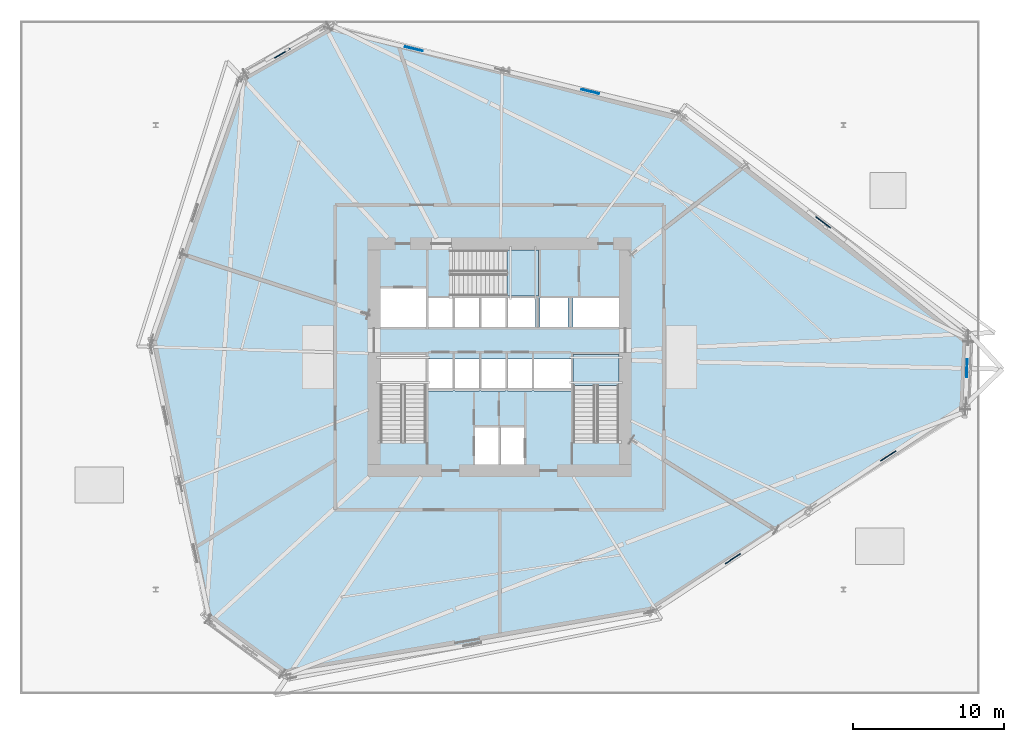
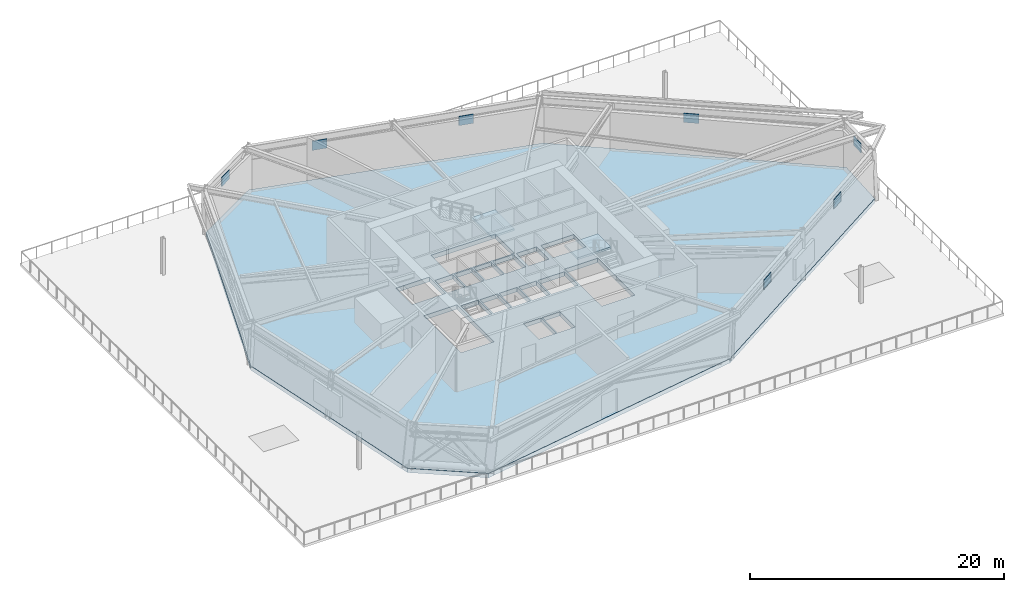
# One storey, part 8 of 20: 7 plates, 3 slabs, 2 elements without a shape of their own.
"""IFC4 building model written with IfcOpenShell, lengths in metres."""

from ifc_helpers import new_model, si_unit, direction, frame, origin, origin_2d, place, context, subcontext, project, spatial, polyline, rectangle, outline, extrude, source, transform, mapped, material, layer, layer_set, type_object, element, aggregate, save


model = new_model("IFC4")

# Units and contexts
model_context = context("Model", 3, precision=1e-05, world=origin(), true_north=direction((0.0, 1.0)))
body_context = subcontext(model_context, "Body", "Model", "MODEL_VIEW")
ifc_project = project(units=[si_unit("LENGTHUNIT", "METRE"), si_unit("AREAUNIT", "SQUARE_METRE"), si_unit("VOLUMEUNIT", "CUBIC_METRE"), si_unit("PLANEANGLEUNIT", "RADIAN"), si_unit("MASSUNIT", "GRAM", prefix="KILO")], contexts=[model_context])

# Site, building, storey
site_placement = place(None, origin())
site = spatial("IfcSite", under=ifc_project, at=site_placement, CompositionType="ELEMENT")
building_placement = place(site_placement, origin())
building = spatial("IfcBuilding", under=site, at=building_placement, Name="Olszyna Solenne Hotel", CompositionType="ELEMENT")
storey_placement = place(building_placement, frame((0.0, 0.0, 24.60009765625)))
storey = spatial("IfcBuildingStorey", under=building, at=storey_placement, Name="L05", CompositionType="ELEMENT", Elevation=24.60009765625)

# Stair, slab
ifc_material_1 = material(Name="Concrete C40/50", Category="concrete")
stair_type = type_object("IfcStairType", Name="STR-C1", PredefinedType="TWO_QUARTER_WINDING_STAIR", material=ifc_material_1)
stair_1_placement = place(storey_placement, origin())
stair_1 = element("IfcStair", 1, at=stair_1_placement, inside=storey, type_object=stair_type, Name="L05 ST2", PredefinedType="TWO_QUARTER_WINDING_STAIR")
ifc_layer_1 = layer(ifc_material_1, 0.18994140625, Name="Concrete C40/50")
ifc_layer_set_1 = layer_set([ifc_layer_1], Name="Concrete C40/50")
slab_type_1 = type_object("IfcSlabType", Name="SL-LN190", PredefinedType="LANDING", material=ifc_layer_set_1)
slab_1_placement = place(storey_placement, frame((0.0, 0.0, 2.14990234375)))
slab_1 = element("IfcSlab", 2, at=slab_1_placement, type_object=slab_type_1, Name="ST2 landing 1", PredefinedType="LANDING", context=body_context, shape_type="SweptSolid", body=[
    extrude(outline(polyline([(45.89990234375, 24.719970703125), (45.89990234375, 26.800048828125), (42.8798828125, 26.800048828125), (42.8798828125, 24.719970703125), (45.89990234375, 24.719970703125)])), origin(), (0.0, 0.0, 1.0), 0.199951171875),
])
aggregate(stair_1, [slab_1])

stair_2_placement = place(storey_placement, origin())
stair_2 = element("IfcStair", 3, at=stair_2_placement, inside=storey, type_object=stair_type, Name="L05 ST3", PredefinedType="TWO_QUARTER_WINDING_STAIR")
slab_2_placement = place(storey_placement, frame((0.0, 0.0, 2.14990234375)))
slab_2 = element("IfcSlab", 4, at=slab_2_placement, type_object=slab_type_1, Name="ST3 landing 1", PredefinedType="LANDING", context=body_context, shape_type="SweptSolid", body=[
    extrude(outline(polyline([(38.5, 30.679931640625), (40.580078125, 30.679931640625), (40.580078125, 33.699951171875), (38.5, 33.699951171875), (38.5, 30.679931640625)])), origin(), (0.0, 0.0, 1.0), 0.199951171875),
])
aggregate(stair_2, [slab_2])

# Slab
ifc_material_2 = material(Name="Concrete C50/60", Category="concrete")
ifc_layer_2 = layer(ifc_material_2, 0.419921875, Name="Concrete C50/60")
ifc_layer_set_2 = layer_set([ifc_layer_2], Name="Concrete C50/60")
slab_type_2 = type_object("IfcSlabType", Name="SL-TR420", PredefinedType="FLOOR", material=ifc_layer_set_2)
slab_3_placement = place(storey_placement, frame((0.0, 0.0, -0.420166015625)))
element("IfcSlab", 5, at=slab_3_placement, inside=storey, type_object=slab_type_2, Name="Floor slab SL-TR420 SL-L05-01", PredefinedType="FLOOR", context=body_context, shape_type="SweptSolid", body=[
    extrude(outline(polyline([(68.858154296875, 22.984619140625), (69.072509765625, 27.802978515625), (50.107666015625, 42.6171875), (26.808837890625, 48.6416015625), (21.014404296875, 45.309326171875), (14.884521484375, 27.66259765625), (18.53173828125, 9.34130859375), (23.71435546875, 5.520263671875), (48.05419921875, 9.6826171875), (68.858154296875, 22.984619140625)]), holes=[polyline([(30.10009765625, 20.949951171875), (33.1201171875, 20.949951171875), (33.1201171875, 26.800048828125), (30.10009765625, 26.800048828125), (30.10009765625, 20.949951171875)]), polyline([(42.8798828125, 20.949951171875), (45.89990234375, 20.949951171875), (45.89990234375, 26.800048828125), (42.8798828125, 26.800048828125), (42.8798828125, 20.949951171875)]), polyline([(34.72998046875, 30.679931640625), (40.580078125, 30.679931640625), (40.580078125, 33.699951171875), (34.72998046875, 33.699951171875), (34.72998046875, 30.679931640625)]), polyline([(36.340087890625, 19.5), (37.9599609375, 19.5), (37.9599609375, 21.9599609375), (36.340087890625, 21.9599609375), (36.340087890625, 19.5)]), polyline([(38.0400390625, 19.5), (39.659912109375, 19.5), (39.659912109375, 21.9599609375), (38.0400390625, 21.9599609375), (38.0400390625, 19.5)]), polyline([(30.10009765625, 28.60009765625), (33.1201171875, 28.60009765625), (33.1201171875, 31.159912109375), (30.10009765625, 31.159912109375), (30.10009765625, 28.60009765625)]), polyline([(33.280029296875, 24.360107421875), (34.89990234375, 24.360107421875), (34.89990234375, 26.5), (33.280029296875, 26.5), (33.280029296875, 24.360107421875)]), polyline([(35.030029296875, 24.360107421875), (36.64990234375, 24.360107421875), (36.64990234375, 26.5), (35.030029296875, 26.5), (35.030029296875, 24.360107421875)]), polyline([(36.780029296875, 24.360107421875), (38.39990234375, 24.360107421875), (38.39990234375, 26.5), (36.780029296875, 26.5), (36.780029296875, 24.360107421875)]), polyline([(38.530029296875, 24.360107421875), (40.14990234375, 24.360107421875), (40.14990234375, 26.5), (38.530029296875, 26.5), (38.530029296875, 24.360107421875)]), polyline([(40.280029296875, 24.360107421875), (42.719970703125, 24.360107421875), (42.719970703125, 26.5), (40.280029296875, 26.5), (40.280029296875, 24.360107421875)]), polyline([(33.280029296875, 28.60009765625), (34.89990234375, 28.60009765625), (34.89990234375, 30.550048828125), (33.280029296875, 30.550048828125), (33.280029296875, 28.60009765625)]), polyline([(35.030029296875, 28.60009765625), (36.64990234375, 28.60009765625), (36.64990234375, 30.550048828125), (35.030029296875, 30.550048828125), (35.030029296875, 28.60009765625)]), polyline([(36.780029296875, 28.60009765625), (38.39990234375, 28.60009765625), (38.39990234375, 30.550048828125), (36.780029296875, 30.550048828125), (36.780029296875, 28.60009765625)]), polyline([(38.530029296875, 28.60009765625), (40.389892578125, 28.60009765625), (40.389892578125, 30.550048828125), (38.530029296875, 30.550048828125), (38.530029296875, 28.60009765625)]), polyline([(40.659912109375, 28.60009765625), (42.52001953125, 28.60009765625), (42.52001953125, 30.550048828125), (40.659912109375, 30.550048828125), (40.659912109375, 28.60009765625)]), polyline([(42.8798828125, 28.60009765625), (45.89990234375, 28.60009765625), (45.89990234375, 30.550048828125), (42.8798828125, 30.550048828125), (42.8798828125, 28.60009765625)])]), origin(), (0.0, 0.0, 1.0), 0.420166015625),
])

# Plates
ifc_material_3 = material(Name="Steel S460M", Category="steel")
plate_type = type_object("IfcPlateType", Name="GP-ND1", PredefinedType="USERDEFINED", material=ifc_material_3)
shared_shape = source(origin(), body_context, "Body", "SweptSolid", [
    extrude(rectangle(XDim=1.199951171875, YDim=0.06005859375, at=origin_2d()), origin(), (0.0, 0.0, 1.0), 0.89990234375),
])
for number, where, z_axis, x_axis, name in (
    (6, (68.98046875, 25.88037109375, 2.949951171875), (0.0, 0.0, 1.0), (0.028793952368, 0.999585368194, 0.0), "Transfer truss node gusset plate TN-L05-01"),
    (7, (59.4521484375, 35.548095703125, 2.949951171875), (0.0, 0.0, 1.0), (-0.797689196331, 0.603068773902, 0.0), "Transfer truss node gusset plate TN-L05-02"),
    (8, (44.007080078125, 44.2197265625, 2.949951171875), (0.0, 0.0, 1.0), (-0.971961000579, 0.235142113103, 0.0), "Transfer truss node gusset plate TN-L05-03"),
    (9, (32.311767578125, 47.048583984375, 2.949951171875), (0.0, 0.0, 1.0), (-0.971961000579, 0.235142113103, 0.0), "Transfer truss node gusset plate TN-L05-04"),
    (10, (23.593505859375, 46.751708984375, 2.949951171875), (0.0, 0.0, 1.0), (-0.858959896931, -0.512042864871, 0.0), "Transfer truss node gusset plate TN-L05-05"),
    (11, (53.466796875, 13.249267578125, 2.949951171875), (0.0, 0.0, 1.0), (0.833885822067, 0.551936985312, 0.0), "Transfer truss node gusset plate TN-L05-11"),
    (12, (63.762939453125, 20.06298828125, 2.949951171875), (0.0, 0.0, 1.0), (0.833982140542, 0.551791436375, 0.0), "Transfer truss node gusset plate TN-L05-12"),
):
    element("IfcPlate", number, at=place(storey_placement, frame(where, z_axis=z_axis, x_axis=x_axis)), inside=storey, type_object=plate_type, Name=name, ObjectType="GUSSET_PLATE", PredefinedType="USERDEFINED", context=body_context, shape_type="MappedRepresentation", body=[
        mapped(shared_shape, transform((0.0, 0.0, 0.0), x_axis=(1.0, 0.0, 0.0), y_axis=(0.0, 1.0, 0.0), z_axis=(0.0, 0.0, 1.0), scale=1.0)),
    ])

save(model, "model.ifc")
